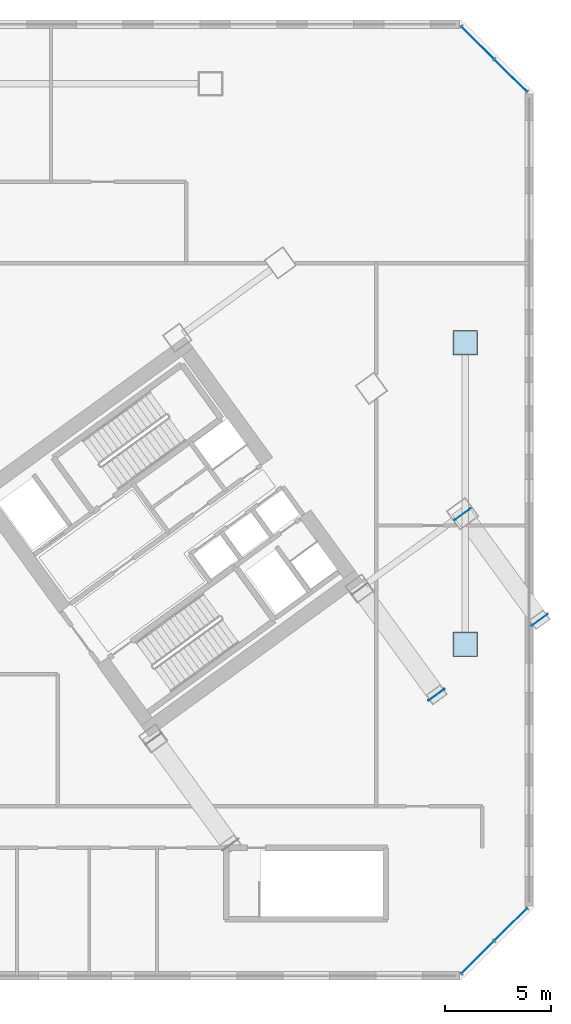
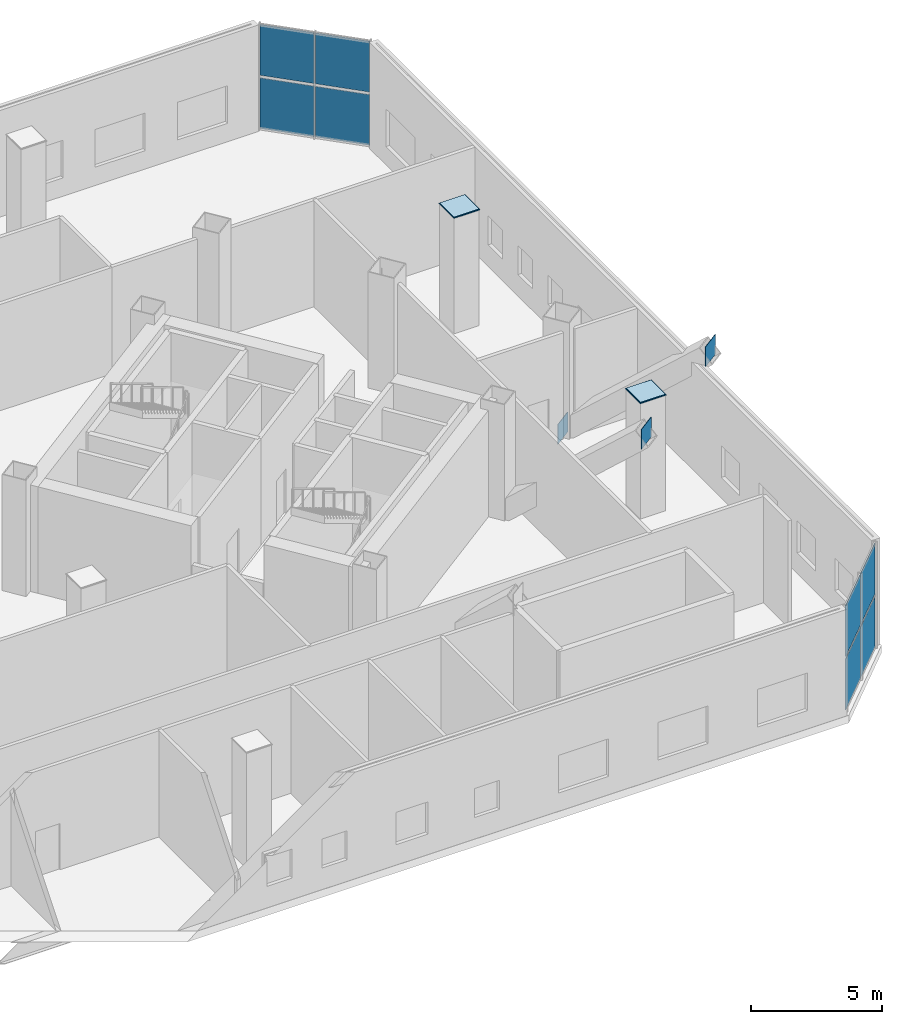
# One storey, part 12 of 23: 15 plates, 2 elements without a shape of their own.
"""IFC4 building model written with IfcOpenShell, lengths in metres."""

from ifc_helpers import new_model, si_unit, direction, frame, origin, origin_2d, place, context, subcontext, project, spatial, rectangle, extrude, source, transform, mapped, material, layer, layer_set, type_object, element, aggregate, save


model = new_model("IFC4")

# Units and contexts
model_context = context("Model", 3, precision=1e-05, world=origin(), true_north=direction((0.0, 1.0)))
body_context = subcontext(model_context, "Body", "Model", "MODEL_VIEW")
ifc_project = project(units=[si_unit("LENGTHUNIT", "METRE"), si_unit("AREAUNIT", "SQUARE_METRE"), si_unit("VOLUMEUNIT", "CUBIC_METRE"), si_unit("PLANEANGLEUNIT", "RADIAN"), si_unit("MASSUNIT", "GRAM", prefix="KILO")], contexts=[model_context])

# Site, building, storey
site_placement = place(None, origin())
site = spatial("IfcSite", under=ifc_project, at=site_placement, CompositionType="ELEMENT")
building_placement = place(site_placement, origin())
building = spatial("IfcBuilding", under=site, at=building_placement, Name="Tlacorven Tower", CompositionType="ELEMENT")
storey_placement = place(building_placement, frame((0.0, 0.0, 18.60009765625)))
storey = spatial("IfcBuildingStorey", under=building, at=storey_placement, Name="L04", CompositionType="ELEMENT", Elevation=18.60009765625)

# Plates
ifc_material_1 = material(Name="Steel S460M", Category="steel")
ifc_layer_1 = layer(ifc_material_1, 0.02001953125)
ifc_layer_set_1 = layer_set([ifc_layer_1], Name="Steel S460M")
plate_type_1 = type_object("IfcPlateType", Name="PL-CAP-END2", PredefinedType="USERDEFINED", material=ifc_layer_set_1)
shared_shape_1 = source(origin(), body_context, "Body", "SweptSolid", [
    extrude(rectangle(XDim=0.02001953125, YDim=0.929931640625, at=origin_2d()), origin(), (0.0, 0.0, 1.0), 0.929931640625),
])
for number, where, z_axis, x_axis, name in (
    (1, (66.044677734375, 14.829345703125, 4.9150390625), (0.0, 0.0, 1.0), (0.587785288157, -0.809016968318, 0.0), "L04 hollow end cap plate RAK-L04-E3 2"),
    (2, (67.281005859375, 23.335205078125, -0.4453125), (0.0, 0.0, 1.0), (0.587785365408, -0.809016912192, 0.0), "L04 hollow end cap plate RAK-L04-E4 1"),
    (3, (70.898681640625, 18.35595703125, 4.9150390625), (0.0, 0.0, 1.0), (0.587785365408, -0.809016912192, 0.0), "L04 hollow end cap plate RAK-L04-E4 2"),
):
    element("IfcPlate", number, at=place(storey_placement, frame(where, z_axis=z_axis, x_axis=x_axis)), inside=storey, type_object=plate_type_1, Name=name, ObjectType="END PLATE", PredefinedType="USERDEFINED", context=body_context, shape_type="MappedRepresentation", body=[
        mapped(shared_shape_1, transform((0.0, 0.0, 0.0), scale=1.0)),
    ])
shared_shape_2 = source(origin(), body_context, "Body", "SweptSolid", [
    extrude(rectangle(XDim=1.159912109375, YDim=1.159912109375, at=origin_2d()), origin(), (0.0, 0.0, 1.0), 0.02001953125),
])
for number, where, z_axis, x_axis, name in (
    (4, (67.39990234375, 17.199951171875, 5.3798828125), (0.0, 0.0, 1.0), (1.0, 0.0, 0.0), "L04 Box Column Top Cap Plate COL-L04-P10"),
    (5, (67.39990234375, 31.39990234375, 5.3798828125), (0.0, 0.0, 1.0), (1.0, 0.0, 0.0), "L04 Box Column Top Cap Plate COL-L04-P11"),
):
    element("IfcPlate", number, at=place(storey_placement, frame(where, z_axis=z_axis, x_axis=x_axis)), inside=storey, type_object=plate_type_1, Name=name, ObjectType="END PLATE", PredefinedType="USERDEFINED", context=body_context, shape_type="MappedRepresentation", body=[
        mapped(shared_shape_2, transform((0.0, 0.0, 0.0), scale=1.0)),
    ])
ifc_layer_2 = layer(ifc_material_1, 0.02392578125)
ifc_layer_set_2 = layer_set([ifc_layer_2], Name="Steel S460M")
plate_type_2 = type_object("IfcPlateType", Name="PL-CAP-END1", PredefinedType="USERDEFINED", material=ifc_layer_set_2)
shared_shape_3 = source(origin(), body_context, "Body", "SweptSolid", [
    extrude(rectangle(XDim=1.10009765625, YDim=1.10009765625, at=origin_2d()), origin(), (0.0, 0.0, 1.0), 0.02392578125),
])
for number, where, z_axis, x_axis, name in (
    (6, (67.39990234375, 17.199951171875, 5.39794921875), (0.0, 0.0, 1.0), (1.0, 0.0, 0.0), "L04 Hollow Column Top Cap Plate COL-L04-P10"),
    (7, (67.39990234375, 31.39990234375, 5.39794921875), (0.0, 0.0, 1.0), (1.0, 0.0, 0.0), "L04 Hollow Column Top Cap Plate COL-L04-P11"),
):
    element("IfcPlate", number, at=place(storey_placement, frame(where, z_axis=z_axis, x_axis=x_axis)), inside=storey, type_object=plate_type_2, Name=name, ObjectType="END PLATE", PredefinedType="USERDEFINED", context=body_context, shape_type="MappedRepresentation", body=[
        mapped(shared_shape_3, transform((0.0, 0.0, 0.0), scale=1.0)),
    ])

# Curtain wall, plates
ifc_material_2 = material(Name="Dark solar low-E double glazing in aluminium frame", Category="aluminium")
curtain_wall_type = type_object("IfcCurtainWallType", Name="CW-POD-CLINIC", PredefinedType="USERDEFINED", material=ifc_material_2)
curtain_wall_1_placement = place(storey_placement, origin())
curtain_wall_1 = element("IfcCurtainWall", 8, at=curtain_wall_1_placement, inside=storey, type_object=curtain_wall_type, Name="L04 Podium Chamfer Curtain Wall 5", ObjectType="UNITISED CURTAIN WALL", PredefinedType="USERDEFINED")
ifc_material_3 = material(Name="Dark solar double low-E glazing", Category="glass")
ifc_layer_3 = layer(ifc_material_3, 0.031982421875)
ifc_layer_set_3 = layer_set([ifc_layer_3], Name="Dark solar double low-E glazing")
plate_type_3 = type_object("IfcPlateType", Name="CWP-02", PredefinedType="CURTAIN_PANEL", material=ifc_layer_set_3)
shared_shape_4 = source(origin(), body_context, "Body", "SweptSolid", [
    extrude(rectangle(XDim=2.141845703125, YDim=0.031982421875, at=origin_2d()), origin(), (0.0, 0.0, 1.0), 2.35302734375),
])
plate_1_placement = place(storey_placement, frame((67.984619140625, 45.532470703125, 0.060791015625), z_axis=(0.0, 0.0, 1.0), x_axis=(0.707106781187, -0.707106781187, 0.0)))
plate_1 = element("IfcPlate", 9, at=plate_1_placement, type_object=plate_type_3, Name="CW-L04-019 Glazing Panel 1", PredefinedType="CURTAIN_PANEL", context=body_context, shape_type="MappedRepresentation", body=[
    mapped(shared_shape_4, transform((0.0, 0.0, 0.0), scale=1.0)),
])
plate_2_placement = place(storey_placement, frame((67.984619140625, 45.532470703125, 2.535888671875), z_axis=(0.0, 0.0, 1.0), x_axis=(0.707106781187, -0.707106781187, 0.0)))
plate_2 = element("IfcPlate", 10, at=plate_2_placement, type_object=plate_type_3, Name="CW-L04-019 Glazing Panel 2", PredefinedType="CURTAIN_PANEL", context=body_context, shape_type="MappedRepresentation", body=[
    mapped(shared_shape_4, transform((0.0, 0.0, 0.0), scale=1.0)),
])
plate_3_placement = place(storey_placement, frame((69.532470703125, 43.984619140625, 0.060791015625), z_axis=(0.0, 0.0, 1.0), x_axis=(0.707106781187, -0.707106781187, 0.0)))
plate_3 = element("IfcPlate", 11, at=plate_3_placement, type_object=plate_type_3, Name="CW-L04-019 Glazing Panel 3", PredefinedType="CURTAIN_PANEL", context=body_context, shape_type="MappedRepresentation", body=[
    mapped(shared_shape_4, transform((0.0, 0.0, 0.0), scale=1.0)),
])
plate_4_placement = place(storey_placement, frame((69.532470703125, 43.984619140625, 2.535888671875), z_axis=(0.0, 0.0, 1.0), x_axis=(0.707106781187, -0.707106781187, 0.0)))
plate_4 = element("IfcPlate", 12, at=plate_4_placement, type_object=plate_type_3, Name="CW-L04-019 Glazing Panel 4", PredefinedType="CURTAIN_PANEL", context=body_context, shape_type="MappedRepresentation", body=[
    mapped(shared_shape_4, transform((0.0, 0.0, 0.0), scale=1.0)),
])
aggregate(curtain_wall_1, [plate_1, plate_2, plate_3, plate_4])

curtain_wall_2_placement = place(storey_placement, origin())
curtain_wall_2 = element("IfcCurtainWall", 13, at=curtain_wall_2_placement, inside=storey, type_object=curtain_wall_type, Name="L04 Podium Chamfer Curtain Wall 7", ObjectType="UNITISED CURTAIN WALL", PredefinedType="USERDEFINED")
plate_5_placement = place(storey_placement, frame((69.532470703125, 4.015380859375, 0.060791015625), z_axis=(0.0, 0.0, 1.0), x_axis=(-0.707106781187, -0.707106781187, 0.0)))
plate_5 = element("IfcPlate", 14, at=plate_5_placement, type_object=plate_type_3, Name="CW-L04-020 Glazing Panel 1", PredefinedType="CURTAIN_PANEL", context=body_context, shape_type="MappedRepresentation", body=[
    mapped(shared_shape_4, transform((0.0, 0.0, 0.0), scale=1.0)),
])
plate_6_placement = place(storey_placement, frame((69.532470703125, 4.015380859375, 2.535888671875), z_axis=(0.0, 0.0, 1.0), x_axis=(-0.707106781187, -0.707106781187, 0.0)))
plate_6 = element("IfcPlate", 15, at=plate_6_placement, type_object=plate_type_3, Name="CW-L04-020 Glazing Panel 2", PredefinedType="CURTAIN_PANEL", context=body_context, shape_type="MappedRepresentation", body=[
    mapped(shared_shape_4, transform((0.0, 0.0, 0.0), scale=1.0)),
])
plate_7_placement = place(storey_placement, frame((67.984619140625, 2.467529296875, 0.060791015625), z_axis=(0.0, 0.0, 1.0), x_axis=(-0.707106781187, -0.707106781187, 0.0)))
plate_7 = element("IfcPlate", 16, at=plate_7_placement, type_object=plate_type_3, Name="CW-L04-020 Glazing Panel 3", PredefinedType="CURTAIN_PANEL", context=body_context, shape_type="MappedRepresentation", body=[
    mapped(shared_shape_4, transform((0.0, 0.0, 0.0), scale=1.0)),
])
plate_8_placement = place(storey_placement, frame((67.984619140625, 2.467529296875, 2.535888671875), z_axis=(0.0, 0.0, 1.0), x_axis=(-0.707106781187, -0.707106781187, 0.0)))
plate_8 = element("IfcPlate", 17, at=plate_8_placement, type_object=plate_type_3, Name="CW-L04-020 Glazing Panel 4", PredefinedType="CURTAIN_PANEL", context=body_context, shape_type="MappedRepresentation", body=[
    mapped(shared_shape_4, transform((0.0, 0.0, 0.0), scale=1.0)),
])
aggregate(curtain_wall_2, [plate_5, plate_6, plate_7, plate_8])

save(model, "model.ifc")
